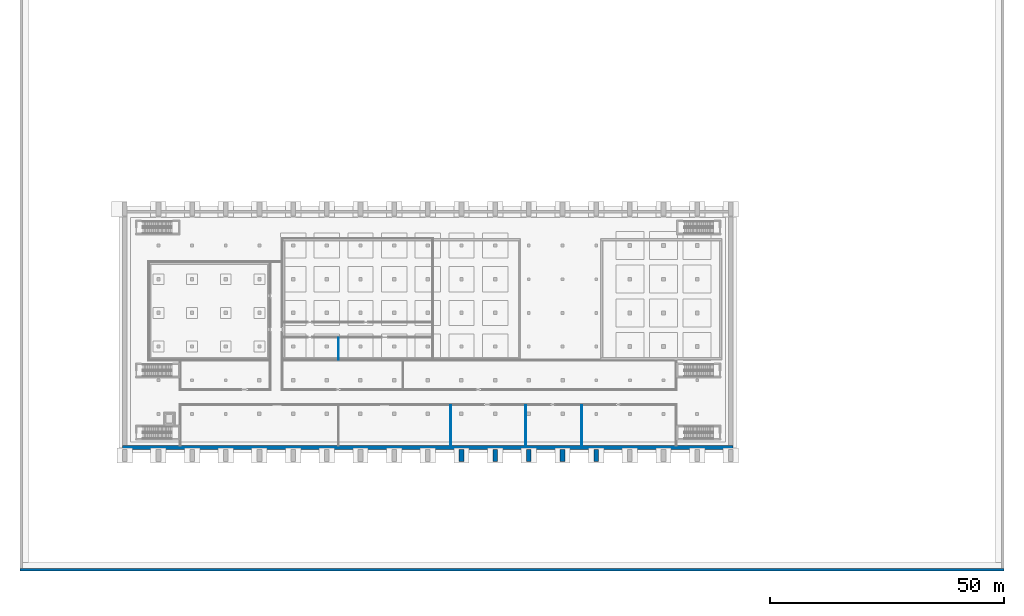
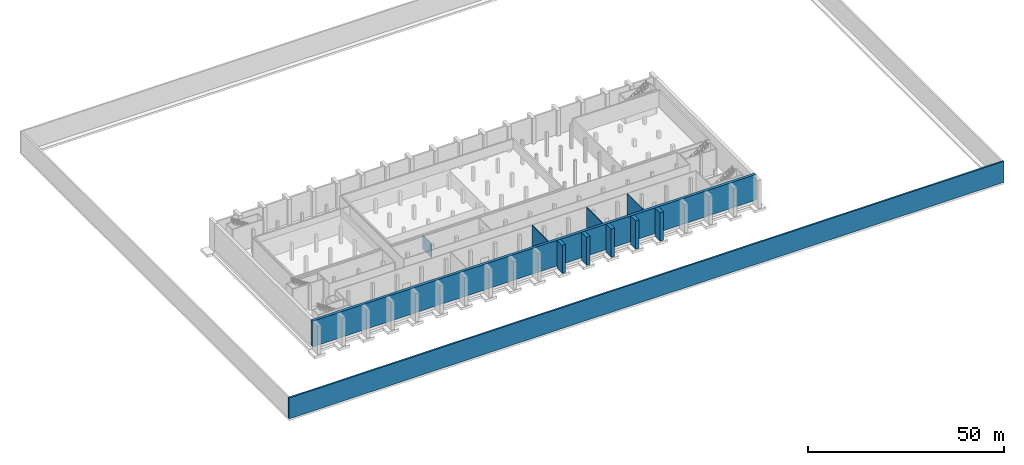
# One storey, part 5 of 14: 11 walls.
"""IFC4 building model written with IfcOpenShell, lengths in metres."""

from ifc_helpers import new_model, si_unit, direction, frame, frame_2d, origin, place, context, subcontext, project, spatial, rectangle, extrude, material, layer, layer_set, type_object, element, save


model = new_model("IFC4")

# Units and contexts
model_context = context("Model", 3, precision=1e-05, world=origin(), true_north=direction((0.0, 1.0)))
body_context = subcontext(model_context, "Body", "Model", "MODEL_VIEW")
ifc_project = project(units=[si_unit("LENGTHUNIT", "METRE"), si_unit("AREAUNIT", "SQUARE_METRE"), si_unit("VOLUMEUNIT", "CUBIC_METRE"), si_unit("PLANEANGLEUNIT", "RADIAN"), si_unit("MASSUNIT", "GRAM", prefix="KILO")], contexts=[model_context])

# Site, building, storey
site_placement = place(None, origin())
site = spatial("IfcSite", under=ifc_project, at=site_placement, CompositionType="ELEMENT")
building_placement = place(site_placement, origin())
building = spatial("IfcBuilding", under=site, at=building_placement, Name="Vermilion Court Aquatics Centre", CompositionType="ELEMENT")
storey_placement = place(building_placement, frame((0.0, 0.0, -8.0)))
storey = spatial("IfcBuildingStorey", under=building, at=storey_placement, Name="B1", CompositionType="ELEMENT", Elevation=-8.0)

# Walls
ifc_material_1 = material(Name="Concrete 5000 psi", Category="concrete")
ifc_layer_1 = layer(ifc_material_1, 1.0)
ifc_layer_set_1 = layer_set([ifc_layer_1], Name="Hall basement wall 1000")
wall_type_1 = type_object("IfcWallType", Name="Hall basement wall 1000", PredefinedType="SOLIDWALL", material=ifc_layer_set_1)
for number, where, z_axis, x_axis, name in (
    (1, (86.39990234375, 11.39990234375, -0.800048828125), (0.0, 0.0, 1.0), (0.0, 1.0, 0.0), "Buttress pier base"),
    (2, (93.60009765625, 11.39990234375, -0.800048828125), (0.0, 0.0, 1.0), (0.0, 1.0, 0.0), "Buttress pier base"),
    (3, (100.800048828125, 11.39990234375, -0.800048828125), (0.0, 0.0, 1.0), (0.0, 1.0, 0.0), "Buttress pier base"),
    (4, (108.0, 11.39990234375, -0.800048828125), (0.0, 0.0, 1.0), (0.0, 1.0, 0.0), "Buttress pier base"),
    (5, (115.199951171875, 11.39990234375, -0.800048828125), (0.0, 0.0, 1.0), (0.0, 1.0, 0.0), "Buttress pier base"),
):
    element("IfcWall", number, at=place(storey_placement, frame(where, z_axis=z_axis, x_axis=x_axis)), inside=storey, type_object=wall_type_1, Name=name, PredefinedType="SOLIDWALL", context=body_context, shape_type="SweptSolid", body=[
        extrude(rectangle(XDim=2.60009765625, YDim=1.0, at=frame_2d((1.300048828125, 0.0))), origin(), (0.0, 0.0, 1.0), 8.800048828125),
    ])
ifc_material_2 = material(Name="Concrete 5000 psi", Category="concrete")
ifc_layer_2 = layer(ifc_material_2, 0.800048828125)
ifc_layer_set_2 = layer_set([ifc_layer_2], Name="Hall basement wall 800")
wall_type_2 = type_object("IfcWallType", Name="Hall basement wall 800", PredefinedType="SOLIDWALL", material=ifc_layer_set_2)
wall_1_placement = place(storey_placement, frame((13.89990234375, 14.39990234375, 0.0), z_axis=(0.0, 0.0, 1.0), x_axis=(1.0, 0.0, 0.0)))
element("IfcWall", 6, at=wall_1_placement, inside=storey, type_object=wall_type_2, Name="Basement south wall", PredefinedType="SOLIDWALL", context=body_context, shape_type="SweptSolid", body=[
    extrude(rectangle(XDim=130.60009765625, YDim=0.800048828125, at=frame_2d((65.300048828125, 0.0))), origin(), (0.0, 0.0, 1.0), 8.0),
])
ifc_material_3 = material(Name="Concrete masonry ASTM C90 Type I", Category="masonry")
ifc_layer_3 = layer(ifc_material_3, 0.199951171875)
ifc_layer_set_3 = layer_set([ifc_layer_3], Name="Hall plant partition 200")
wall_type_3 = type_object("IfcWallType", Name="Hall plant partition 200", PredefinedType="PARTITIONING", material=ifc_layer_set_3)
for number, where, z_axis, x_axis, name in (
    (7, (84.10009765625, 14.800048828125, 0.0), (0.0, 0.0, 1.0), (0.0, 1.0, 0.0), "Plant partition"),
    (8, (100.10009765625, 14.800048828125, 0.0), (0.0, 0.0, 1.0), (0.0, 1.0, 0.0), "Plant partition"),
    (9, (112.10009765625, 14.800048828125, 0.0), (0.0, 0.0, 1.0), (0.0, 1.0, 0.0), "Plant partition"),
):
    element("IfcWall", number, at=place(storey_placement, frame(where, z_axis=z_axis, x_axis=x_axis)), inside=storey, type_object=wall_type_3, Name=name, PredefinedType="PARTITIONING", context=body_context, shape_type="SweptSolid", body=[
        extrude(rectangle(XDim=8.699951171875, YDim=0.199951171875, at=frame_2d((4.35009765625, 0.0))), origin(), (0.0, 0.0, 1.0), 7.594970703125),
    ])
wall_2_placement = place(storey_placement, frame((60.10009765625, 33.199951171875, 0.0), z_axis=(0.0, 0.0, 1.0), x_axis=(0.0, 1.0, 0.0)))
element("IfcWall", 10, at=wall_2_placement, inside=storey, type_object=wall_type_3, Name="Plant partition", PredefinedType="PARTITIONING", context=body_context, shape_type="SweptSolid", body=[
    extrude(rectangle(XDim=4.699951171875, YDim=0.199951171875, at=frame_2d((2.35009765625, 0.0))), origin(), (0.0, 0.0, 1.0), 4.199951171875),
])
ifc_material_4 = material(Name="Concrete 5000 psi", Category="concrete")
ifc_layer_4 = layer(ifc_material_4, 0.5)
ifc_layer_set_4 = layer_set([ifc_layer_4], Name="Perimeter retaining wall 500")
wall_type_4 = type_object("IfcWallType", Name="Perimeter retaining wall 500", PredefinedType="SOLIDWALL", material=ifc_layer_set_4)
wall_3_placement = place(storey_placement, frame((-8.0, -11.75, 1.050048828125), z_axis=(0.0, 0.0, 1.0), x_axis=(1.0, 0.0, 0.0)))
element("IfcWall", 11, at=wall_3_placement, inside=storey, type_object=wall_type_4, Name="Perimeter retaining wall", PredefinedType="SOLIDWALL", context=body_context, shape_type="SweptSolid", body=[
    extrude(rectangle(XDim=210.39990234375, YDim=0.5, at=frame_2d((105.199951171875, 0.0))), origin(), (0.0, 0.0, 1.0), 6.5),
])

save(model, "model.ifc")
